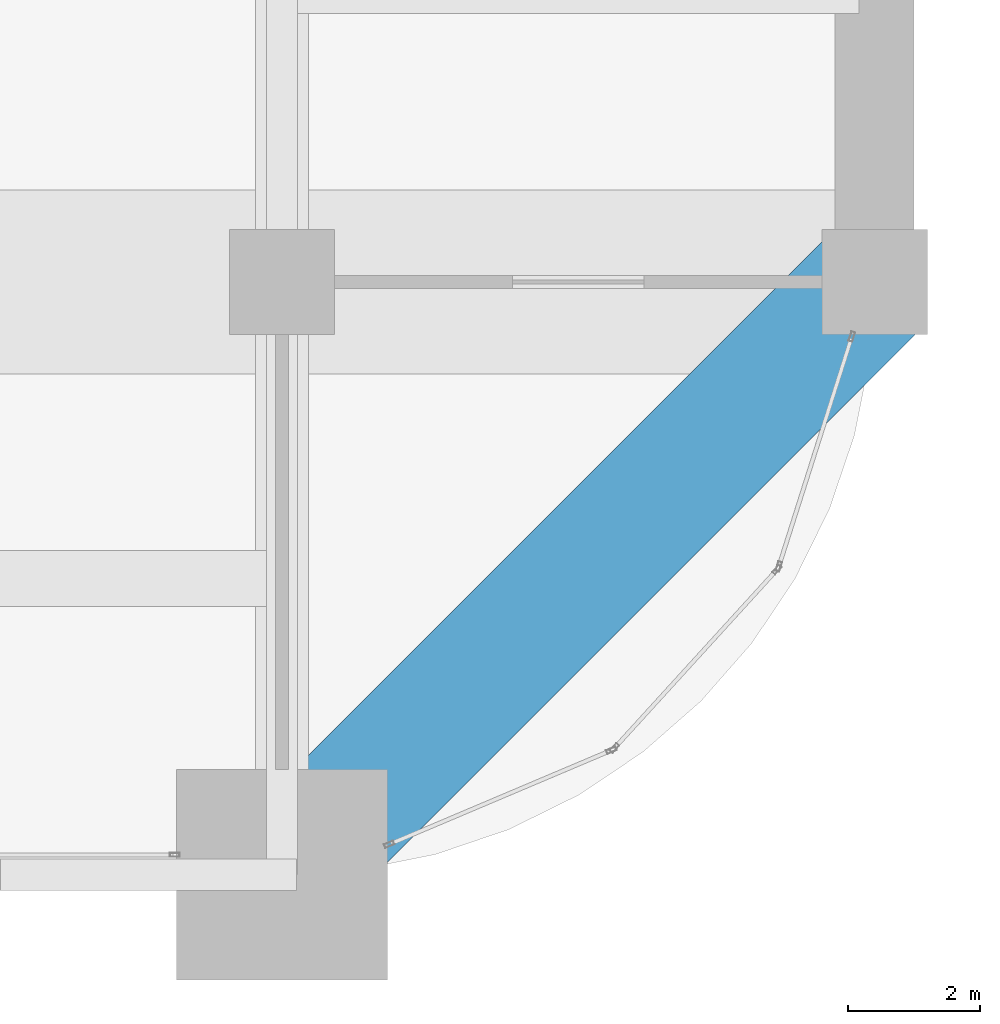
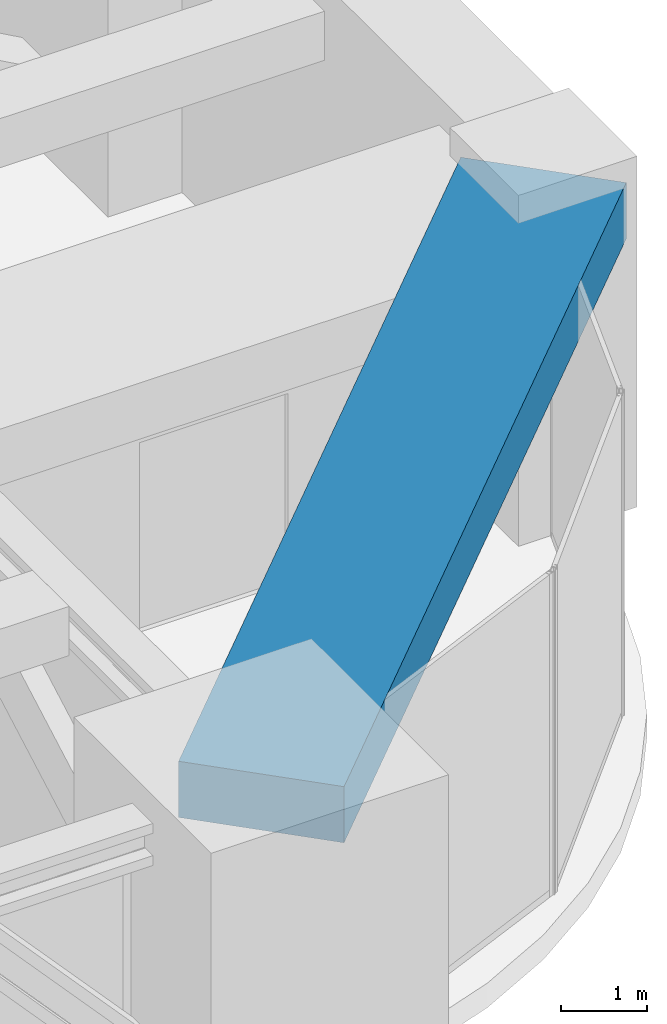
# One storey, part 12 of 32: 1 beam.
"""IFC4 building model written with IfcOpenShell, lengths in metres."""

from ifc_helpers import new_model, si_unit, direction, frame, origin, origin_2d, place, context, subcontext, project, spatial, rectangle, extrude, material, material_profile, profile_set, type_object, element, save


model = new_model("IFC4")

# Units and contexts
model_context = context("Model", 3, precision=1e-05, world=origin(), true_north=direction((0.0, 1.0)))
body_context = subcontext(model_context, "Body", "Model", "MODEL_VIEW")
ifc_project = project(units=[si_unit("LENGTHUNIT", "METRE"), si_unit("AREAUNIT", "SQUARE_METRE"), si_unit("VOLUMEUNIT", "CUBIC_METRE"), si_unit("PLANEANGLEUNIT", "RADIAN"), si_unit("MASSUNIT", "GRAM", prefix="KILO")], contexts=[model_context])

# Site, building, storey
site_placement = place(None, origin())
site = spatial("IfcSite", under=ifc_project, at=site_placement, CompositionType="ELEMENT")
building_placement = place(site_placement, origin())
building = spatial("IfcBuilding", under=site, at=building_placement, Name="Zorevar Civic Tower", CompositionType="ELEMENT")
storey_placement = place(building_placement, frame((0.0, 0.0, 234.39990234375)))
storey = spatial("IfcBuildingStorey", under=building, at=storey_placement, Name="L57", CompositionType="ELEMENT", Elevation=234.39990234375)

# Beam
ifc_material = material(Name="Concrete C50/60", Category="concrete")
ifc_material_profile = material_profile(ifc_material, rectangle(XDim=2.0, YDim=0.800048828125, at=origin_2d()), Name="RC 2000x800")
ifc_profile_set = profile_set([ifc_material_profile], Name="Concrete C50/60")
beam_type = type_object("IfcBeamType", Name="Edge beam RC 2000x800", PredefinedType="SPANDREL", material=ifc_profile_set)
beam_placement = place(storey_placement, frame((45.0, 0.0, 4.2001953125), z_axis=(0.707106781187, 0.707106781187, 0.0), x_axis=(-0.707106781187, 0.707106781187, 0.0)))
element("IfcBeam", 1, at=beam_placement, inside=storey, type_object=beam_type, Name="Corner edge beam L58", PredefinedType="SPANDREL", context=body_context, shape_type="SweptSolid", body=[
    extrude(rectangle(XDim=2.0, YDim=0.800048828125, at=origin_2d()), origin(), (0.0, 0.0, 1.0), 12.72802734375),
])

save(model, "model.ifc")
